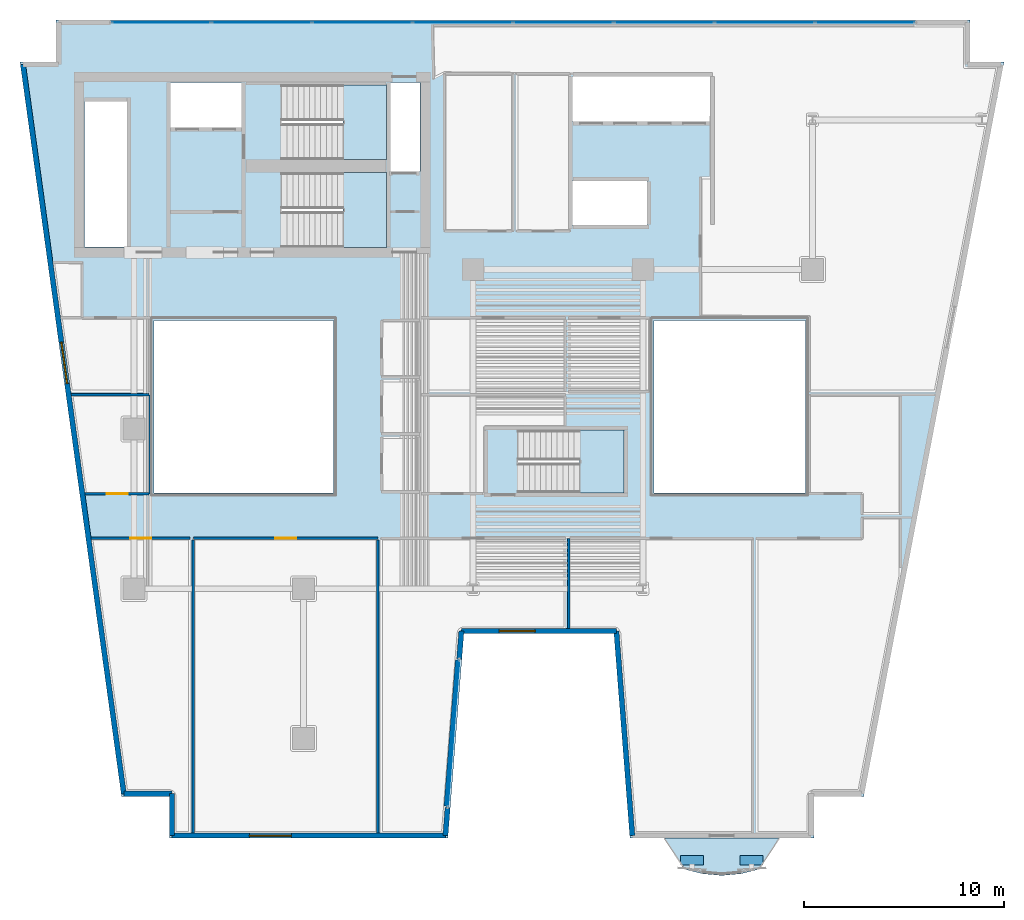
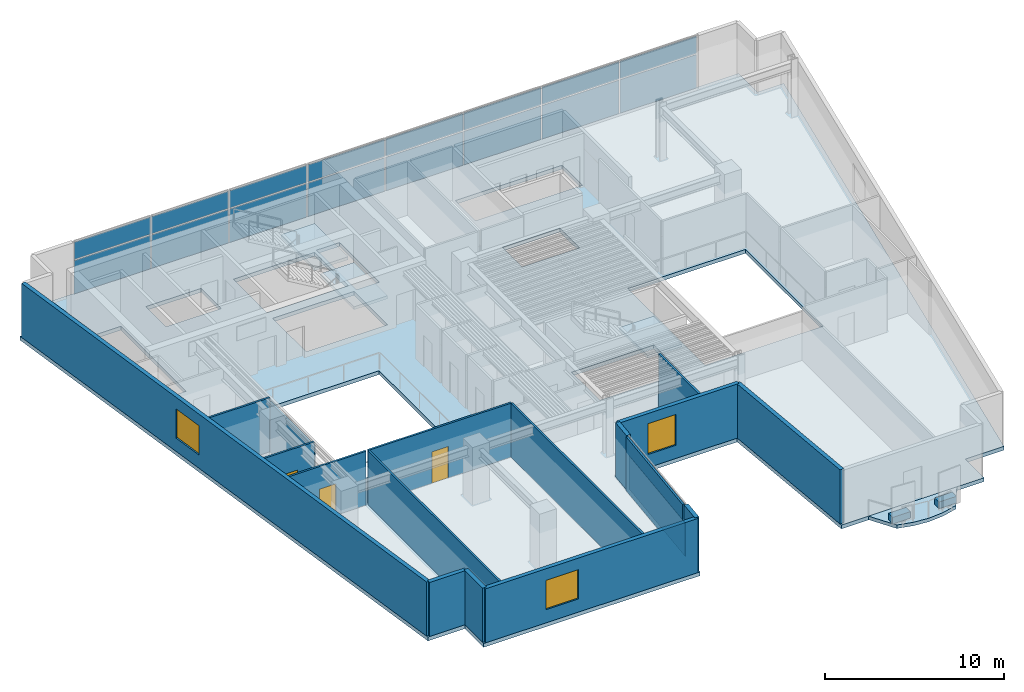
# One storey, part 5 of 13: 20 plates, 17 walls, 5 slabs, 3 doors, 3 windows, 6 openings, 5 elements without a shape of their own.
"""IFC4 building model written with IfcOpenShell, lengths in metres."""

from ifc_helpers import new_model, si_unit, direction, frame, frame_2d, origin, origin_2d, place, context, subcontext, project, spatial, polyline, rectangle, outline, extrude, material, layer, layer_set, type_object, element, fill, aggregate, save


model = new_model("IFC4")

# Units and contexts
model_context = context("Model", 3, precision=1e-05, world=origin(), true_north=direction((0.0, 1.0)))
body_context = subcontext(model_context, "Body", "Model", "MODEL_VIEW")
ifc_project = project(units=[si_unit("LENGTHUNIT", "METRE"), si_unit("AREAUNIT", "SQUARE_METRE"), si_unit("VOLUMEUNIT", "CUBIC_METRE"), si_unit("PLANEANGLEUNIT", "RADIAN"), si_unit("MASSUNIT", "GRAM", prefix="KILO")], contexts=[model_context])

# Site, building, storey
site_placement = place(None, origin())
site = spatial("IfcSite", under=ifc_project, at=site_placement, CompositionType="ELEMENT")
building_placement = place(site_placement, origin())
building = spatial("IfcBuilding", under=site, at=building_placement, Name="Caeloran Harvest Quay", CompositionType="ELEMENT")
storey_placement = place(building_placement, frame((0.0, 0.0, 162.75)))
storey = spatial("IfcBuildingStorey", under=building, at=storey_placement, Name="L38", CompositionType="ELEMENT", Elevation=162.75)

# Slab
ifc_material_1 = material(Name="Concrete C50/60", Category="concrete")
ifc_layer_1 = layer(ifc_material_1, 0.239990234375, Name="Concrete C50/60")
ifc_layer_set_1 = layer_set([ifc_layer_1], Name="Concrete C50/60")
slab_type_1 = type_object("IfcSlabType", Name="BALCONY-BL-240", PredefinedType="FLOOR", material=ifc_layer_set_1)
slab_1_placement = place(storey_placement, frame((0.0, 0.0, -0.239990234375)))
element("IfcSlab", 1, at=slab_1_placement, inside=storey, type_object=slab_type_1, Name="L38 Scalloped Cantilevered Planted Balcony Slab", PredefinedType="FLOOR", context=body_context, shape_type="SweptSolid", body=[
    extrude(outline(polyline([(39.869873046875, 0.955078125), (38.913818359375, 0.717041015625), (37.95751953125, 0.6298828125), (37.001220703125, 0.717041015625), (36.045166015625, 0.955078125), (35.101318359375, 2.5), (40.813720703125, 2.5), (39.869873046875, 0.955078125)])), origin(), (0.0, 0.0, 1.0), 0.239990234375),
])

# Curtain wall, plates
ifc_material_2 = material(Name="Aluminium 6063-T6 and Low-E Glazing", Category="aluminium")
ifc_layer_2 = layer(ifc_material_2, 0.22998046875, Name="Aluminium 6063-T6 and Low-E Glazing")
ifc_layer_set_2 = layer_set([ifc_layer_2], Name="Aluminium 6063-T6 and Low-E Glazing")
curtain_wall_type = type_object("IfcCurtainWallType", Name="CW-SYS-CW-6", PredefinedType="USERDEFINED", material=ifc_layer_set_2)
curtain_wall_1_placement = place(storey_placement, origin())
curtain_wall_1 = element("IfcCurtainWall", 2, at=curtain_wall_1_placement, inside=storey, type_object=curtain_wall_type, Name="L38 Unitised Curtain Wall CW-6 Run 6", ObjectType="CURTAIN_WALL", PredefinedType="USERDEFINED")
ifc_material_3 = material(Name="Low-E Double Glazed Vision Glass Unit", Category="glass")
ifc_layer_3 = layer(ifc_material_3, 0.035888671875, Name="Low-E Double Glazed Vision Glass Unit")
ifc_layer_set_3 = layer_set([ifc_layer_3], Name="Low-E Double Glazed Vision Glass Unit")
plate_type_1 = type_object("IfcPlateType", Name="CW-VISION-PANEL", PredefinedType="CURTAIN_PANEL", material=ifc_layer_set_3)
plate_1_placement = place(storey_placement, frame((9.871337890625, 43.3701171875, 0.080078125), z_axis=(0.0, 0.0, 1.0), x_axis=(1.0, 0.0, 0.0)))
plate_1 = element("IfcPlate", 3, at=plate_1_placement, type_object=plate_type_1, Name="CW-6 panel 1.1", PredefinedType="CURTAIN_PANEL", context=body_context, shape_type="SweptSolid", body=[
    extrude(rectangle(XDim=4.922607421875, YDim=0.035888671875, at=origin_2d()), origin(), (0.0, 0.0, 1.0), 2.280029296875),
])
plate_2_placement = place(storey_placement, frame((9.871337890625, 43.3701171875, 2.43994140625), z_axis=(0.0, 0.0, 1.0), x_axis=(1.0, 0.0, 0.0)))
plate_2 = element("IfcPlate", 4, at=plate_2_placement, type_object=plate_type_1, Name="CW-6 panel 1.2", PredefinedType="CURTAIN_PANEL", context=body_context, shape_type="SweptSolid", body=[
    extrude(rectangle(XDim=4.922607421875, YDim=0.035888671875, at=origin_2d()), origin(), (0.0, 0.0, 1.0), 1.169921875),
])
plate_3_placement = place(storey_placement, frame((14.893798828125, 43.3701171875, 0.080078125), z_axis=(0.0, 0.0, 1.0), x_axis=(1.0, 0.0, 0.0)))
plate_3 = element("IfcPlate", 5, at=plate_3_placement, type_object=plate_type_1, Name="CW-6 panel 2.1", PredefinedType="CURTAIN_PANEL", context=body_context, shape_type="SweptSolid", body=[
    extrude(rectangle(XDim=4.96240234375, YDim=0.035888671875, at=origin_2d()), origin(), (0.0, 0.0, 1.0), 2.280029296875),
])
plate_4_placement = place(storey_placement, frame((14.893798828125, 43.3701171875, 2.43994140625), z_axis=(0.0, 0.0, 1.0), x_axis=(1.0, 0.0, 0.0)))
plate_4 = element("IfcPlate", 6, at=plate_4_placement, type_object=plate_type_1, Name="CW-6 panel 2.2", PredefinedType="CURTAIN_PANEL", context=body_context, shape_type="SweptSolid", body=[
    extrude(rectangle(XDim=4.96240234375, YDim=0.035888671875, at=origin_2d()), origin(), (0.0, 0.0, 1.0), 1.169921875),
])
plate_5_placement = place(storey_placement, frame((19.936279296875, 43.3701171875, 0.080078125), z_axis=(0.0, 0.0, 1.0), x_axis=(1.0, 0.0, 0.0)))
plate_5 = element("IfcPlate", 7, at=plate_5_placement, type_object=plate_type_1, Name="CW-6 panel 3.1", PredefinedType="CURTAIN_PANEL", context=body_context, shape_type="SweptSolid", body=[
    extrude(rectangle(XDim=4.96240234375, YDim=0.035888671875, at=origin_2d()), origin(), (0.0, 0.0, 1.0), 2.280029296875),
])
plate_6_placement = place(storey_placement, frame((19.936279296875, 43.3701171875, 2.43994140625), z_axis=(0.0, 0.0, 1.0), x_axis=(1.0, 0.0, 0.0)))
plate_6 = element("IfcPlate", 8, at=plate_6_placement, type_object=plate_type_1, Name="CW-6 panel 3.2", PredefinedType="CURTAIN_PANEL", context=body_context, shape_type="SweptSolid", body=[
    extrude(rectangle(XDim=4.96240234375, YDim=0.035888671875, at=origin_2d()), origin(), (0.0, 0.0, 1.0), 1.169921875),
])
plate_7_placement = place(storey_placement, frame((24.978759765625, 43.3701171875, 0.080078125), z_axis=(0.0, 0.0, 1.0), x_axis=(1.0, 0.0, 0.0)))
plate_7 = element("IfcPlate", 9, at=plate_7_placement, type_object=plate_type_1, Name="CW-6 panel 4.1", PredefinedType="CURTAIN_PANEL", context=body_context, shape_type="SweptSolid", body=[
    extrude(rectangle(XDim=4.96240234375, YDim=0.035888671875, at=origin_2d()), origin(), (0.0, 0.0, 1.0), 2.280029296875),
])
plate_8_placement = place(storey_placement, frame((24.978759765625, 43.3701171875, 2.43994140625), z_axis=(0.0, 0.0, 1.0), x_axis=(1.0, 0.0, 0.0)))
plate_8 = element("IfcPlate", 10, at=plate_8_placement, type_object=plate_type_1, Name="CW-6 panel 4.2", PredefinedType="CURTAIN_PANEL", context=body_context, shape_type="SweptSolid", body=[
    extrude(rectangle(XDim=4.96240234375, YDim=0.035888671875, at=origin_2d()), origin(), (0.0, 0.0, 1.0), 1.169921875),
])
plate_9_placement = place(storey_placement, frame((30.021240234375, 43.3701171875, 0.080078125), z_axis=(0.0, 0.0, 1.0), x_axis=(1.0, 0.0, 0.0)))
plate_9 = element("IfcPlate", 11, at=plate_9_placement, type_object=plate_type_1, Name="CW-6 panel 5.1", PredefinedType="CURTAIN_PANEL", context=body_context, shape_type="SweptSolid", body=[
    extrude(rectangle(XDim=4.96240234375, YDim=0.035888671875, at=origin_2d()), origin(), (0.0, 0.0, 1.0), 2.280029296875),
])
plate_10_placement = place(storey_placement, frame((30.021240234375, 43.3701171875, 2.43994140625), z_axis=(0.0, 0.0, 1.0), x_axis=(1.0, 0.0, 0.0)))
plate_10 = element("IfcPlate", 12, at=plate_10_placement, type_object=plate_type_1, Name="CW-6 panel 5.2", PredefinedType="CURTAIN_PANEL", context=body_context, shape_type="SweptSolid", body=[
    extrude(rectangle(XDim=4.96240234375, YDim=0.035888671875, at=origin_2d()), origin(), (0.0, 0.0, 1.0), 1.169921875),
])
plate_11_placement = place(storey_placement, frame((35.063720703125, 43.3701171875, 0.080078125), z_axis=(0.0, 0.0, 1.0), x_axis=(1.0, 0.0, 0.0)))
plate_11 = element("IfcPlate", 13, at=plate_11_placement, type_object=plate_type_1, Name="CW-6 panel 6.1", PredefinedType="CURTAIN_PANEL", context=body_context, shape_type="SweptSolid", body=[
    extrude(rectangle(XDim=4.96240234375, YDim=0.035888671875, at=origin_2d()), origin(), (0.0, 0.0, 1.0), 2.280029296875),
])
plate_12_placement = place(storey_placement, frame((35.063720703125, 43.3701171875, 2.43994140625), z_axis=(0.0, 0.0, 1.0), x_axis=(1.0, 0.0, 0.0)))
plate_12 = element("IfcPlate", 14, at=plate_12_placement, type_object=plate_type_1, Name="CW-6 panel 6.2", PredefinedType="CURTAIN_PANEL", context=body_context, shape_type="SweptSolid", body=[
    extrude(rectangle(XDim=4.96240234375, YDim=0.035888671875, at=origin_2d()), origin(), (0.0, 0.0, 1.0), 1.169921875),
])
plate_13_placement = place(storey_placement, frame((40.106201171875, 43.3701171875, 0.080078125), z_axis=(0.0, 0.0, 1.0), x_axis=(1.0, 0.0, 0.0)))
plate_13 = element("IfcPlate", 15, at=plate_13_placement, type_object=plate_type_1, Name="CW-6 panel 7.1", PredefinedType="CURTAIN_PANEL", context=body_context, shape_type="SweptSolid", body=[
    extrude(rectangle(XDim=4.96240234375, YDim=0.035888671875, at=origin_2d()), origin(), (0.0, 0.0, 1.0), 2.280029296875),
])
plate_14_placement = place(storey_placement, frame((40.106201171875, 43.3701171875, 2.43994140625), z_axis=(0.0, 0.0, 1.0), x_axis=(1.0, 0.0, 0.0)))
plate_14 = element("IfcPlate", 16, at=plate_14_placement, type_object=plate_type_1, Name="CW-6 panel 7.2", PredefinedType="CURTAIN_PANEL", context=body_context, shape_type="SweptSolid", body=[
    extrude(rectangle(XDim=4.96240234375, YDim=0.035888671875, at=origin_2d()), origin(), (0.0, 0.0, 1.0), 1.169921875),
])
plate_15_placement = place(storey_placement, frame((45.128662109375, 43.3701171875, 0.080078125), z_axis=(0.0, 0.0, 1.0), x_axis=(1.0, 0.0, 0.0)))
plate_15 = element("IfcPlate", 17, at=plate_15_placement, type_object=plate_type_1, Name="CW-6 panel 8.1", PredefinedType="CURTAIN_PANEL", context=body_context, shape_type="SweptSolid", body=[
    extrude(rectangle(XDim=4.922607421875, YDim=0.035888671875, at=origin_2d()), origin(), (0.0, 0.0, 1.0), 2.280029296875),
])
plate_16_placement = place(storey_placement, frame((45.128662109375, 43.3701171875, 2.43994140625), z_axis=(0.0, 0.0, 1.0), x_axis=(1.0, 0.0, 0.0)))
plate_16 = element("IfcPlate", 18, at=plate_16_placement, type_object=plate_type_1, Name="CW-6 panel 8.2", PredefinedType="CURTAIN_PANEL", context=body_context, shape_type="SweptSolid", body=[
    extrude(rectangle(XDim=4.922607421875, YDim=0.035888671875, at=origin_2d()), origin(), (0.0, 0.0, 1.0), 1.169921875),
])
aggregate(curtain_wall_1, [plate_1, plate_2, plate_3, plate_4, plate_5, plate_6, plate_7, plate_8, plate_9, plate_10, plate_11, plate_12, plate_13, plate_14, plate_15, plate_16])

curtain_wall_2_placement = place(storey_placement, origin())
curtain_wall_2 = element("IfcCurtainWall", 19, at=curtain_wall_2_placement, inside=storey, type_object=curtain_wall_type, Name="L38 Unitised Curtain Wall CW-6 Run 15", ObjectType="CURTAIN_WALL", PredefinedType="USERDEFINED")
plate_17_placement = place(storey_placement, frame((24.509765625, 7.7548828125, 0.080078125), z_axis=(0.0, 0.0, 1.0), x_axis=(-0.077821861046, -0.996967280277, 0.0)))
plate_17 = element("IfcPlate", 20, at=plate_17_placement, type_object=plate_type_1, Name="CW-6 panel 1.1", PredefinedType="CURTAIN_PANEL", context=body_context, shape_type="SweptSolid", body=[
    extrude(rectangle(XDim=7.3212890625, YDim=0.035888671875, at=origin_2d()), origin(), (0.0, 0.0, 1.0), 2.280029296875),
])
plate_18_placement = place(storey_placement, frame((24.509765625, 7.7548828125, 2.43994140625), z_axis=(0.0, 0.0, 1.0), x_axis=(-0.077821861046, -0.996967280277, 0.0)))
plate_18 = element("IfcPlate", 21, at=plate_18_placement, type_object=plate_type_1, Name="CW-6 panel 1.2", PredefinedType="CURTAIN_PANEL", context=body_context, shape_type="SweptSolid", body=[
    extrude(rectangle(XDim=7.3212890625, YDim=0.035888671875, at=origin_2d()), origin(), (0.0, 0.0, 1.0), 1.169921875),
])
aggregate(curtain_wall_2, [plate_17, plate_18])

# Plates
ifc_material_4 = material(Name="Precast concrete C50/60", Category="concrete")
ifc_layer_4 = layer(ifc_material_4, 0.449951171875, Name="Precast concrete C50/60")
ifc_layer_set_4 = layer_set([ifc_layer_4], Name="Precast concrete C50/60")
plate_type_2 = type_object("IfcPlateType", Name="PLANTER-TROUGH-450", PredefinedType="USERDEFINED", material=ifc_layer_set_4)
for number, where, z_axis, x_axis, name in (
    (22, (39.44921875, 1.389892578125, 0.0), (0.0, 0.0, 1.0), (1.0, 0.0, 0.0), "L38 Balcony Vertical-Greenery Precast PLANTER Trough 1"),
    (23, (36.4658203125, 1.389892578125, 0.0), (0.0, 0.0, 1.0), (1.0, 0.0, 0.0), "L38 Balcony Vertical-Greenery Precast PLANTER Trough 2"),
):
    element("IfcPlate", number, at=place(storey_placement, frame(where, z_axis=z_axis, x_axis=x_axis)), inside=storey, type_object=plate_type_2, Name=name, ObjectType="PLANTER", PredefinedType="USERDEFINED", context=body_context, shape_type="SweptSolid", body=[
        extrude(rectangle(XDim=1.14990234375, YDim=0.47998046875, at=origin_2d()), origin(), (0.0, 0.0, 1.0), 0.449951171875),
    ])

# Slab
ifc_layer_5 = layer(ifc_material_1, 0.260009765625, Name="Concrete C50/60")
ifc_layer_set_5 = layer_set([ifc_layer_5], Name="Concrete C50/60")
slab_type_2 = type_object("IfcSlabType", Name="SLAB-FS-260", PredefinedType="FLOOR", material=ifc_layer_set_5)
slab_2_placement = place(storey_placement, frame((0.0, 0.0, -0.260009765625)))
element("IfcSlab", 24, at=slab_2_placement, inside=storey, type_object=slab_type_2, Name="L38 Structural Floor Slab", PredefinedType="FLOOR", context=body_context, shape_type="SweptSolid", body=[
    extrude(outline(polyline([(10.27001953125, 2.5), (24.22998046875, 2.5), (25.030029296875, 12.75), (32.554931640625, 12.75), (33.35498046875, 2.5), (42.570068359375, 2.5), (42.570068359375, 4.60009765625), (45.071044921875, 4.60009765625), (52.09912109375, 41.39990234375), (50.39990234375, 41.39990234375), (50.39990234375, 43.5), (4.60009765625, 43.5), (4.60009765625, 41.39990234375), (2.790283203125, 41.39990234375), (7.879638671875, 4.60009765625), (10.27001953125, 4.60009765625), (10.27001953125, 2.5)]), holes=[polyline([(27.75, 19.800048828125), (27.75, 22.949951171875), (33.050048828125, 22.949951171875), (33.050048828125, 19.800048828125), (27.75, 19.800048828125)]), polyline([(18.5, 19.800048828125), (9.5, 19.800048828125), (9.5, 28.449951171875), (18.5, 28.449951171875), (18.5, 19.800048828125)]), polyline([(42.14990234375, 19.800048828125), (34.550048828125, 19.800048828125), (34.550048828125, 28.449951171875), (42.14990234375, 28.449951171875), (42.14990234375, 19.800048828125)]), polyline([(15.89990234375, 35.85009765625), (21.14990234375, 35.85009765625), (21.14990234375, 32.10009765625), (15.89990234375, 32.10009765625), (15.89990234375, 35.85009765625)]), polyline([(30.47998046875, 33.219970703125), (30.47998046875, 35.429931640625), (34.199951171875, 35.429931640625), (34.199951171875, 33.219970703125), (30.47998046875, 33.219970703125)]), polyline([(8.159912109375, 32.1201171875), (6.02001953125, 32.1201171875), (6.02001953125, 39.419921875), (8.159912109375, 39.419921875), (8.159912109375, 32.1201171875)]), polyline([(22.830078125, 35.919921875), (21.35009765625, 35.919921875), (21.35009765625, 40.3798828125), (22.830078125, 40.3798828125), (22.830078125, 35.919921875)]), polyline([(15.89990234375, 36.5), (15.89990234375, 40.25), (21.14990234375, 40.25), (21.14990234375, 36.5), (15.89990234375, 36.5)]), polyline([(10.320068359375, 38.1201171875), (10.320068359375, 40.3798828125), (13.89990234375, 40.3798828125), (13.89990234375, 38.1201171875), (10.320068359375, 38.1201171875)]), polyline([(30.47998046875, 38.419921875), (30.47998046875, 40.679931640625), (37.3798828125, 40.679931640625), (37.3798828125, 38.419921875), (30.47998046875, 38.419921875)])]), origin(), (0.0, 0.0, 1.0), 0.260009765625),
])

# Stair, slab
stair_type_1 = type_object("IfcStairType", Name="STAIR-STC-180", PredefinedType="HALF_TURN_STAIR", material=ifc_material_1)
stair_1_placement = place(storey_placement, origin())
stair_1 = element("IfcStair", 25, at=stair_1_placement, inside=storey, type_object=stair_type_1, Name="L38 Core Pressurized Exit Stair ST-C1", PredefinedType="HALF_TURN_STAIR")
ifc_layer_6 = layer(ifc_material_1, 0.219970703125, Name="Concrete C50/60")
ifc_layer_set_6 = layer_set([ifc_layer_6], Name="Concrete C50/60")
slab_type_3 = type_object("IfcSlabType", Name="STAIR-LANDING-220", PredefinedType="LANDING", material=ifc_layer_set_6)
slab_3_placement = place(storey_placement, frame((0.0, 0.0, 1.77490234375)))
slab_3 = element("IfcSlab", 26, at=slab_3_placement, type_object=slab_type_3, Name="ST-C1 landing 1", PredefinedType="LANDING", context=body_context, shape_type="SweptSolid", body=[
    extrude(outline(polyline([(18.97998046875, 36.5), (21.14990234375, 36.5), (21.14990234375, 40.25), (18.97998046875, 40.25), (18.97998046875, 36.5)])), origin(), (0.0, 0.0, 1.0), 0.2001953125),
])
aggregate(stair_1, [slab_3])

stair_2_placement = place(storey_placement, origin())
stair_2 = element("IfcStair", 27, at=stair_2_placement, inside=storey, type_object=stair_type_1, Name="L38 Core Pressurized Exit Stair ST-C2", PredefinedType="HALF_TURN_STAIR")
slab_4_placement = place(storey_placement, frame((0.0, 0.0, 1.77490234375)))
slab_4 = element("IfcSlab", 28, at=slab_4_placement, type_object=slab_type_3, Name="ST-C2 landing 1", PredefinedType="LANDING", context=body_context, shape_type="SweptSolid", body=[
    extrude(outline(polyline([(18.97998046875, 32.10009765625), (21.14990234375, 32.10009765625), (21.14990234375, 35.85009765625), (18.97998046875, 35.85009765625), (18.97998046875, 32.10009765625)])), origin(), (0.0, 0.0, 1.0), 0.2001953125),
])
aggregate(stair_2, [slab_4])

stair_type_2 = type_object("IfcStairType", Name="STAIR-STW-150", PredefinedType="HALF_TURN_STAIR", material=ifc_material_1)
stair_3_placement = place(storey_placement, origin())
stair_3 = element("IfcStair", 29, at=stair_3_placement, inside=storey, type_object=stair_type_2, Name="L38 East Wing Protected Exit Stair ST-W1", PredefinedType="HALF_TURN_STAIR")
slab_5_placement = place(storey_placement, frame((0.0, 0.0, 1.77490234375)))
slab_5 = element("IfcSlab", 30, at=slab_5_placement, type_object=slab_type_3, Name="ST-W1 landing 1", PredefinedType="LANDING", context=body_context, shape_type="SweptSolid", body=[
    extrude(outline(polyline([(30.830078125, 19.800048828125), (33.050048828125, 19.800048828125), (33.050048828125, 22.949951171875), (30.830078125, 22.949951171875), (30.830078125, 19.800048828125)])), origin(), (0.0, 0.0, 1.0), 0.2001953125),
])
aggregate(stair_3, [slab_5])

# Walls
ifc_layer_7 = layer(ifc_material_4, 0.260009765625, Name="Precast concrete C50/60")
ifc_layer_set_7 = layer_set([ifc_layer_7], Name="Precast concrete C50/60")
wall_type_1 = type_object("IfcWallType", Name="ENV-WALL-EW-260", PredefinedType="STANDARD", material=ifc_layer_set_7)
wall_1_placement = place(storey_placement, frame((10.39990234375, 2.6298828125, 0.0), z_axis=(0.0, 0.0, 1.0), x_axis=(0.0, 1.0, 0.0)))
element("IfcWall", 31, at=wall_1_placement, inside=storey, type_object=wall_type_1, Name="L38 Exterior Precast Concrete Facade Wall 1", PredefinedType="STANDARD", context=body_context, shape_type="SweptSolid", body=[
    extrude(rectangle(XDim=2.10009765625, YDim=0.260009765625, at=frame_2d((1.050048828125, 0.0))), origin(), (0.0, 0.0, 1.0), 3.68994140625),
])
wall_2_placement = place(storey_placement, frame((10.39990234375, 4.72998046875, 0.0), z_axis=(0.0, 0.0, 1.0), x_axis=(-1.0, 0.0, 0.0)))
element("IfcWall", 32, at=wall_2_placement, inside=storey, type_object=wall_type_1, Name="L38 Exterior Precast Concrete Facade Wall 2", PredefinedType="STANDARD", context=body_context, shape_type="SweptSolid", body=[
    extrude(rectangle(XDim=2.406982421875, YDim=0.260009765625, at=frame_2d((1.20361328125, 0.0))), origin(), (0.0, 0.0, 1.0), 3.68994140625),
])

# Wall, opening, window
wall_3_placement = place(storey_placement, frame((7.992919921875, 4.72998046875, 0.0), z_axis=(0.0, 0.0, 1.0), x_axis=(-0.136989009016, 0.990572567462, 0.0)))
wall_3 = element("IfcWall", 33, at=wall_3_placement, inside=storey, type_object=wall_type_1, Name="L38 Exterior Precast Concrete Facade Wall 3", PredefinedType="STANDARD", context=body_context, shape_type="SweptSolid", body=[
    extrude(rectangle(XDim=36.8876953125, YDim=0.260009765625, at=frame_2d((18.44384765625, 0.0))), origin(), (0.0, 0.0, 1.0), 3.68994140625),
])
opening_1_placement = place(wall_3_placement, frame((20.74755859375, 0.0, 0.89990234375)))
opening_1 = element("IfcOpeningElement", 34, at=opening_1_placement, cuts=wall_3, Name="Opening W-06", PredefinedType="OPENING", context=body_context, shape_type="SweptSolid", body=[
    extrude(rectangle(XDim=2.10009765625, YDim=2.0, at=frame_2d((1.050048828125, 1.0))), frame((0.0, 0.14013671875, 0.0), z_axis=(0.0, -1.0, 0.0), x_axis=(1.0, 0.0, 0.0)), (0.0, 0.0, 1.0), 0.280029296875),
])
ifc_material_5 = material(Name="Aluminium-Framed Low-E Laminated Glass", Category="aluminium")
window_type_1 = type_object("IfcWindowType", Name="WIN-W-06", PartitioningType="DOUBLE_PANEL_VERTICAL", PredefinedType="WINDOW", material=ifc_material_5)
window_1_placement = place(opening_1_placement, origin())
window_1 = element("IfcWindow", 35, at=window_1_placement, inside=storey, type_object=window_type_1, Name="L38 Facade Punched Window W-06", OverallHeight=2.0, OverallWidth=2.10009765625, PartitioningType="DOUBLE_PANEL_VERTICAL", PredefinedType="WINDOW", context=body_context, shape_type="SweptSolid", body=[
    extrude(rectangle(XDim=2.10009765625, YDim=2.0, at=frame_2d((1.050048828125, 1.0))), frame((0.0, 0.030029296875, 0.0), z_axis=(0.0, -1.0, 0.0), x_axis=(1.0, 0.0, 0.0)), (0.0, 0.0, 1.0), 0.06005859375),
])
fill(opening_1, window_1)

# Wall
wall_4_placement = place(storey_placement, frame((33.47509765625, 2.6298828125, 0.0), z_axis=(0.0, 0.0, 1.0), x_axis=(-0.077793257511, 0.996969512616, 0.0)))
element("IfcWall", 36, at=wall_4_placement, inside=storey, type_object=wall_type_1, Name="L38 Exterior Precast Concrete Facade Wall 13", PredefinedType="STANDARD", context=body_context, shape_type="SweptSolid", body=[
    extrude(rectangle(XDim=10.28125, YDim=0.260009765625, at=frame_2d((5.140625, 0.0))), origin(), (0.0, 0.0, 1.0), 3.68994140625),
])

# Wall, opening, window
wall_5_placement = place(storey_placement, frame((32.67529296875, 12.8798828125, 0.0), z_axis=(0.0, 0.0, 1.0), x_axis=(-1.0, 0.0, 0.0)))
wall_5 = element("IfcWall", 37, at=wall_5_placement, inside=storey, type_object=wall_type_1, Name="L38 Exterior Precast Concrete Facade Wall 14", PredefinedType="STANDARD", context=body_context, shape_type="SweptSolid", body=[
    extrude(rectangle(XDim=7.765380859375, YDim=0.260009765625, at=frame_2d((3.8828125, 0.0))), origin(), (0.0, 0.0, 1.0), 3.68994140625),
])
opening_2_placement = place(wall_5_placement, frame((4.070068359375, 0.0, 0.89990234375)))
opening_2 = element("IfcOpeningElement", 38, at=opening_2_placement, cuts=wall_5, Name="Opening W-01", PredefinedType="OPENING", context=body_context, shape_type="SweptSolid", body=[
    extrude(rectangle(XDim=1.800048828125, YDim=2.10009765625, at=frame_2d((0.89990234375, 1.050048828125))), frame((0.0, 0.14013671875, 0.0), z_axis=(0.0, -1.0, 0.0), x_axis=(1.0, 0.0, 0.0)), (0.0, 0.0, 1.0), 0.280029296875),
])
window_type_2 = type_object("IfcWindowType", Name="WIN-W-01", PartitioningType="SINGLE_PANEL", PredefinedType="WINDOW", material=ifc_material_5)
window_2_placement = place(opening_2_placement, origin())
window_2 = element("IfcWindow", 39, at=window_2_placement, inside=storey, type_object=window_type_2, Name="L38 Facade Punched Window W-01", OverallHeight=2.10009765625, OverallWidth=1.800048828125, PartitioningType="SINGLE_PANEL", PredefinedType="WINDOW", context=body_context, shape_type="SweptSolid", body=[
    extrude(rectangle(XDim=1.800048828125, YDim=2.10009765625, at=frame_2d((0.89990234375, 1.050048828125))), frame((0.0, 0.030029296875, 0.0), z_axis=(0.0, -1.0, 0.0), x_axis=(1.0, 0.0, 0.0)), (0.0, 0.0, 1.0), 0.06005859375),
])
fill(opening_2, window_2)

# Walls
for number, where, z_axis, x_axis, name in (
    (40, (24.909912109375, 12.8798828125, 0.0), (0.0, 0.0, 1.0), (-0.077949956455, -0.996957273051, 0.0), "L38 Exterior Facade Corner Pier Wall 15A"),
    (41, (24.21875, 4.025634765625, 0.0), (0.0, 0.0, 1.0), (-0.077776627829, -0.996970810086, 0.0), "L38 Exterior Facade Corner Pier Wall 15B"),
):
    element("IfcWall", number, at=place(storey_placement, frame(where, z_axis=z_axis, x_axis=x_axis)), inside=storey, type_object=wall_type_1, Name=name, PredefinedType="STANDARD", context=body_context, shape_type="SweptSolid", body=[
        extrude(rectangle(XDim=1.39990234375, YDim=0.260009765625, at=frame_2d((0.699951171875, 0.0))), origin(), (0.0, 0.0, 1.0), 3.68994140625),
    ])

# Wall, opening, window
wall_6_placement = place(storey_placement, frame((24.10986328125, 2.6298828125, 0.0), z_axis=(0.0, 0.0, 1.0), x_axis=(-1.0, 0.0, 0.0)))
wall_6 = element("IfcWall", 42, at=wall_6_placement, inside=storey, type_object=wall_type_1, Name="L38 Exterior Precast Concrete Facade Wall 16", PredefinedType="STANDARD", context=body_context, shape_type="SweptSolid", body=[
    extrude(rectangle(XDim=13.7099609375, YDim=0.260009765625, at=frame_2d((6.85498046875, 0.0))), origin(), (0.0, 0.0, 1.0), 3.68994140625),
])
opening_3_placement = place(wall_6_placement, frame((7.72412109375, 0.0, 0.89990234375)))
opening_3 = element("IfcOpeningElement", 43, at=opening_3_placement, cuts=wall_6, Name="Opening W-06", PredefinedType="OPENING", context=body_context, shape_type="SweptSolid", body=[
    extrude(rectangle(XDim=2.10009765625, YDim=2.0, at=frame_2d((1.050048828125, 1.0))), frame((0.0, 0.14013671875, 0.0), z_axis=(0.0, -1.0, 0.0), x_axis=(1.0, 0.0, 0.0)), (0.0, 0.0, 1.0), 0.280029296875),
])
window_3_placement = place(opening_3_placement, origin())
window_3 = element("IfcWindow", 44, at=window_3_placement, inside=storey, type_object=window_type_1, Name="L38 Facade Punched Window W-06", OverallHeight=2.0, OverallWidth=2.10009765625, PartitioningType="DOUBLE_PANEL_VERTICAL", PredefinedType="WINDOW", context=body_context, shape_type="SweptSolid", body=[
    extrude(rectangle(XDim=2.10009765625, YDim=2.0, at=frame_2d((1.050048828125, 1.0))), frame((0.0, 0.030029296875, 0.0), z_axis=(0.0, -1.0, 0.0), x_axis=(1.0, 0.0, 0.0)), (0.0, 0.0, 1.0), 0.06005859375),
])
fill(opening_3, window_3)

# Wall, opening, door
ifc_material_6 = material(Name="Twin-Stud Mineral-Wool Acoustic Gypsum Partition", Category="gypsum")
ifc_layer_8 = layer(ifc_material_6, 0.125, Name="Twin-Stud Mineral-Wool Acoustic Gypsum Partition")
ifc_layer_set_8 = layer_set([ifc_layer_8], Name="Twin-Stud Mineral-Wool Acoustic Gypsum Partition")
wall_type_2 = type_object("IfcWallType", Name="INT-WALL-PW-125", PredefinedType="PARTITIONING", material=ifc_layer_set_8)
wall_7_placement = place(storey_placement, frame((11.47998046875, 17.52001953125, 0.0), z_axis=(0.0, 0.0, 1.0), x_axis=(1.0, 0.0, 0.0)))
wall_7 = element("IfcWall", 45, at=wall_7_placement, inside=storey, type_object=wall_type_2, Name="Agro-Finance Summit Conference Hall Partition Wall", PredefinedType="PARTITIONING", context=body_context, shape_type="SweptSolid", body=[
    extrude(rectangle(XDim=9.239990234375, YDim=0.125, at=frame_2d((4.6201171875, 0.0))), origin(), (0.0, 0.0, 1.0), 3.68994140625),
])
opening_4_placement = place(wall_7_placement, frame((4.094970703125, 0.0, 0.0)))
opening_4 = element("IfcOpeningElement", 46, at=opening_4_placement, cuts=wall_7, Name="Opening ID-03", PredefinedType="OPENING", context=body_context, shape_type="SweptSolid", body=[
    extrude(rectangle(XDim=1.050048828125, YDim=2.14990234375, at=frame_2d((0.52490234375, 1.074951171875))), frame((0.0, 0.072509765625, 0.0), z_axis=(0.0, -1.0, 0.0), x_axis=(1.0, 0.0, 0.0)), (0.0, 0.0, 1.0), 0.14501953125),
])
ifc_material_7 = material(Name="FSC Solid-Core Oak Timber Leaf", Category="wood")
door_type = type_object("IfcDoorType", Name="INTDOOR-ID-03", OperationType="NOTDEFINED", PredefinedType="DOOR", material=ifc_material_7)
door_1_placement = place(opening_4_placement, origin())
door_1 = element("IfcDoor", 47, at=door_1_placement, inside=storey, type_object=door_type, Name="Agro-Finance Summit Conference Hall Access Door", OperationType="SINGLE_SWING_LEFT", OverallHeight=2.14990234375, OverallWidth=1.050048828125, PredefinedType="DOOR", context=body_context, shape_type="SweptSolid", body=[
    extrude(rectangle(XDim=1.050048828125, YDim=2.14990234375, at=frame_2d((0.52490234375, 1.074951171875))), frame((0.0, 0.02490234375, 0.0), z_axis=(0.0, -1.0, 0.0), x_axis=(1.0, 0.0, 0.0)), (0.0, 0.0, 1.0), 0.050048828125),
])
fill(opening_4, door_1)

# Walls
for number, where, z_axis, x_axis, name in (
    (48, (20.719970703125, 17.452392578125, 0.0), (0.0, 0.0, 1.0), (0.0, -1.0, 0.0), "Agro-Finance Summit Conference Hall Partition Wall"),
    (49, (11.47998046875, 2.764892578125, 0.0), (0.0, 0.0, 1.0), (0.0, 1.0, 0.0), "Agro-Finance Summit Conference Hall Partition Wall"),
):
    element("IfcWall", number, at=place(storey_placement, frame(where, z_axis=z_axis, x_axis=x_axis)), inside=storey, type_object=wall_type_2, Name=name, PredefinedType="PARTITIONING", context=body_context, shape_type="SweptSolid", body=[
        extrude(rectangle(XDim=14.6875, YDim=0.125, at=frame_2d((7.34375, 0.0))), origin(), (0.0, 0.0, 1.0), 3.68994140625),
    ])
wall_8_placement = place(storey_placement, frame((30.280029296875, 13.014892578125, 0.0), z_axis=(0.0, 0.0, 1.0), x_axis=(0.0, 1.0, 0.0)))
element("IfcWall", 50, at=wall_8_placement, inside=storey, type_object=wall_type_2, Name="Carbon Credit Seminar Room Partition Wall", PredefinedType="PARTITIONING", context=body_context, shape_type="SweptSolid", body=[
    extrude(rectangle(XDim=4.505126953125, YDim=0.125, at=frame_2d((2.25244140625, 0.0))), origin(), (0.0, 0.0, 1.0), 3.68994140625),
])

# Wall, opening, door
wall_9_placement = place(storey_placement, frame((6.3603515625, 17.52001953125, 0.0), z_axis=(0.0, 0.0, 1.0), x_axis=(1.0, 0.0, 0.0)))
wall_9 = element("IfcWall", 51, at=wall_9_placement, inside=storey, type_object=wall_type_2, Name="Investor Espresso Kitchen Partition Wall", PredefinedType="PARTITIONING", context=body_context, shape_type="SweptSolid", body=[
    extrude(rectangle(XDim=4.959716796875, YDim=0.125, at=frame_2d((2.47998046875, 0.0))), origin(), (0.0, 0.0, 1.0), 3.68994140625),
])
opening_5_placement = place(wall_9_placement, frame((1.954833984375, 0.0, 0.0)))
opening_5 = element("IfcOpeningElement", 52, at=opening_5_placement, cuts=wall_9, Name="Opening ID-03", PredefinedType="OPENING", context=body_context, shape_type="SweptSolid", body=[
    extrude(rectangle(XDim=1.050048828125, YDim=2.14990234375, at=frame_2d((0.52490234375, 1.074951171875))), frame((0.0, 0.072509765625, 0.0), z_axis=(0.0, -1.0, 0.0), x_axis=(1.0, 0.0, 0.0)), (0.0, 0.0, 1.0), 0.14501953125),
])
door_2_placement = place(opening_5_placement, origin())
door_2 = element("IfcDoor", 53, at=door_2_placement, inside=storey, type_object=door_type, Name="Investor Espresso Kitchen Access Door", OperationType="SINGLE_SWING_RIGHT", OverallHeight=2.14990234375, OverallWidth=1.050048828125, PredefinedType="DOOR", context=body_context, shape_type="SweptSolid", body=[
    extrude(rectangle(XDim=1.050048828125, YDim=2.14990234375, at=frame_2d((0.52490234375, 1.074951171875))), frame((0.0, 0.02490234375, 0.0), z_axis=(0.0, -1.0, 0.0), x_axis=(1.0, 0.0, 0.0)), (0.0, 0.0, 1.0), 0.050048828125),
])
fill(opening_5, door_2)

# Walls
wall_10_placement = place(storey_placement, frame((24.665771484375, 11.419921875, 0.0), z_axis=(0.0, 0.0, 1.0), x_axis=(-0.077816821526, -0.996967673642, 0.0)))
element("IfcWall", 54, at=wall_10_placement, inside=storey, type_object=wall_type_2, Name="Hospitality Catering Kitchen Partition Wall", PredefinedType="PARTITIONING", context=body_context, shape_type="SweptSolid", body=[
    extrude(rectangle(XDim=7.33203125, YDim=0.125, at=frame_2d((3.666015625, 0.0))), origin(), (0.0, 0.0, 1.0), 3.68994140625),
])
wall_11_placement = place(storey_placement, frame((9.320068359375, 24.719970703125, 0.0), z_axis=(0.0, 0.0, 1.0), x_axis=(0.0, -1.0, 0.0)))
element("IfcWall", 55, at=wall_11_placement, inside=storey, type_object=wall_type_2, Name="Executive Wellness Lounge Partition Wall", PredefinedType="PARTITIONING", context=body_context, shape_type="SweptSolid", body=[
    extrude(rectangle(XDim=4.969970703125, YDim=0.125, at=frame_2d((2.48486328125, 0.0))), origin(), (0.0, 0.0, 1.0), 3.375),
])

# Wall, opening, door
wall_12_placement = place(storey_placement, frame((9.25244140625, 19.75, 0.0), z_axis=(0.0, 0.0, 1.0), x_axis=(-1.0, 0.0, 0.0)))
wall_12 = element("IfcWall", 56, at=wall_12_placement, inside=storey, type_object=wall_type_2, Name="Executive Wellness Lounge Partition Wall", PredefinedType="PARTITIONING", context=body_context, shape_type="SweptSolid", body=[
    extrude(rectangle(XDim=3.200439453125, YDim=0.125, at=frame_2d((1.60009765625, 0.0))), origin(), (0.0, 0.0, 1.0), 3.68994140625),
])
opening_6_placement = place(wall_12_placement, frame((1.0751953125, 0.0, 0.0)))
opening_6 = element("IfcOpeningElement", 57, at=opening_6_placement, cuts=wall_12, Name="Opening ID-03", PredefinedType="OPENING", context=body_context, shape_type="SweptSolid", body=[
    extrude(rectangle(XDim=1.050048828125, YDim=2.14990234375, at=frame_2d((0.52490234375, 1.074951171875))), frame((0.0, 0.072509765625, 0.0), z_axis=(0.0, -1.0, 0.0), x_axis=(1.0, 0.0, 0.0)), (0.0, 0.0, 1.0), 0.14501953125),
])
door_3_placement = place(opening_6_placement, origin())
door_3 = element("IfcDoor", 58, at=door_3_placement, inside=storey, type_object=door_type, Name="Executive Wellness Lounge Access Door", OperationType="SINGLE_SWING_LEFT", OverallHeight=2.14990234375, OverallWidth=1.050048828125, PredefinedType="DOOR", context=body_context, shape_type="SweptSolid", body=[
    extrude(rectangle(XDim=1.050048828125, YDim=2.14990234375, at=frame_2d((0.52490234375, 1.074951171875))), frame((0.0, 0.02490234375, 0.0), z_axis=(0.0, -1.0, 0.0), x_axis=(1.0, 0.0, 0.0)), (0.0, 0.0, 1.0), 0.050048828125),
])
fill(opening_6, door_3)

# Wall
wall_13_placement = place(storey_placement, frame((5.36474609375, 24.719970703125, 0.0), z_axis=(0.0, 0.0, 1.0), x_axis=(1.0, 0.0, 0.0)))
element("IfcWall", 59, at=wall_13_placement, inside=storey, type_object=wall_type_2, Name="Executive Wellness Lounge Partition Wall", PredefinedType="PARTITIONING", context=body_context, shape_type="SweptSolid", body=[
    extrude(rectangle(XDim=3.8876953125, YDim=0.125, at=frame_2d((1.94384765625, 0.0))), origin(), (0.0, 0.0, 1.0), 3.68994140625),
])

save(model, "model.ifc")
